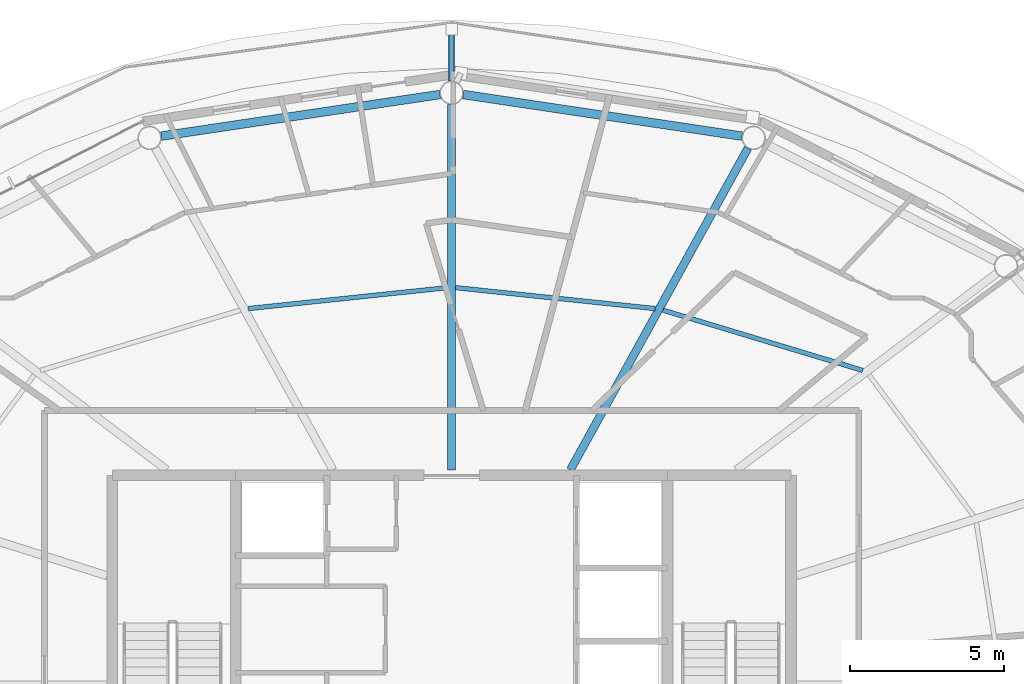
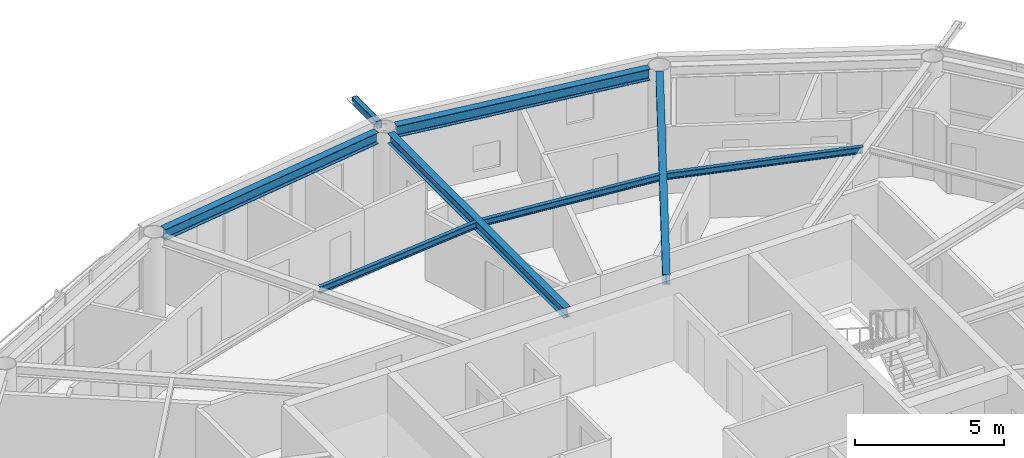
# One storey, part 10 of 23: 7 beams, 1 member.
"""IFC4 building model written with IfcOpenShell, lengths in metres."""

from ifc_helpers import new_model, si_unit, direction, frame, origin, origin_2d, place, context, subcontext, project, spatial, hollow_rectangle, i_section, extrude, material, material_profile, profile_set, type_object, element, save


model = new_model("IFC4")

# Units and contexts
model_context = context("Model", 3, precision=1e-05, world=origin(), true_north=direction((0.0, 1.0)))
body_context = subcontext(model_context, "Body", "Model", "MODEL_VIEW")
ifc_project = project(units=[si_unit("LENGTHUNIT", "METRE"), si_unit("AREAUNIT", "SQUARE_METRE"), si_unit("VOLUMEUNIT", "CUBIC_METRE"), si_unit("PLANEANGLEUNIT", "RADIAN"), si_unit("MASSUNIT", "GRAM", prefix="KILO")], contexts=[model_context])

# Site, building, storey
site_placement = place(None, origin())
site = spatial("IfcSite", under=ifc_project, at=site_placement, CompositionType="ELEMENT")
building_placement = place(site_placement, origin())
building = spatial("IfcBuilding", under=site, at=building_placement, Name="Sarneth Arch Tower", CompositionType="ELEMENT")
storey_placement = place(building_placement, frame((0.0, 0.0, 280.199951171875)))
storey = spatial("IfcBuildingStorey", under=building, at=storey_placement, Name="L72", CompositionType="ELEMENT", Elevation=280.199951171875)

# Beams
ifc_material_1 = material(Name="Steel S355", Category="steel")
ifc_material_profile_1 = material_profile(ifc_material_1, i_section(OverallWidth=0.14794921875, OverallDepth=0.26611328125, WebThickness=0.007568359375, FlangeThickness=0.012939453125, FilletRadius=0.012939453125, at=origin_2d()), Name="W250x44.8")
ifc_profile_set_1 = profile_set([ifc_material_profile_1], Name="Steel S355")
beam_type_1 = type_object("IfcBeamType", Name="BM-JOIST-250", PredefinedType="JOIST", material=ifc_profile_set_1)
beam_1_placement = place(storey_placement, frame((61.32861328125, 52.198486328125, 3.237060546875), z_axis=(-0.957373106971, 0.288854174367, 0.0), x_axis=(-0.288854174367, -0.957373106971, 0.0)))
element("IfcBeam", 1, at=beam_1_placement, inside=storey, type_object=beam_type_1, Name="L72 Secondary floor joist 03", PredefinedType="JOIST", context=body_context, shape_type="SweptSolid", body=[
    extrude(i_section(OverallWidth=0.14794921875, OverallDepth=0.26611328125, WebThickness=0.007568359375, FlangeThickness=0.012939453125, FilletRadius=0.012939453125, at=origin_2d()), origin(), (0.0, 0.0, 1.0), 6.76416015625),
])
for number, where, z_axis, x_axis, name in (
    (2, (54.59912109375, 54.20361328125, 3.237060546875), (-0.994526818736, 0.104481609938, 0.0), (-0.104481609938, -0.994526818736, 0.0), "L72 Secondary floor joist 04"),
    (3, (47.87060546875, 54.88330078125, 3.237060546875), (-0.994526818736, -0.104481609938, 0.0), (0.104481609938, -0.994526818736, 0.0), "L72 Secondary floor joist 05"),
):
    element("IfcBeam", number, at=place(storey_placement, frame(where, z_axis=z_axis, x_axis=x_axis)), inside=storey, type_object=beam_type_1, Name=name, PredefinedType="JOIST", context=body_context, shape_type="SweptSolid", body=[
        extrude(i_section(OverallWidth=0.14794921875, OverallDepth=0.26611328125, WebThickness=0.007568359375, FlangeThickness=0.012939453125, FilletRadius=0.012939453125, at=origin_2d()), origin(), (0.0, 0.0, 1.0), 6.50537109375),
    ])
ifc_material_2 = material(Name="Steel S355", Category="steel")
ifc_material_profile_2 = material_profile(ifc_material_2, i_section(OverallWidth=0.260009765625, OverallDepth=0.4150390625, WebThickness=0.010009765625, FlangeThickness=0.016845703125, FilletRadius=0.01611328125, at=origin_2d()), Name="W410x100")
ifc_profile_set_2 = profile_set([ifc_material_profile_2], Name="Steel S355")
beam_type_2 = type_object("IfcBeamType", Name="BM-RAD-410A", PredefinedType="BEAM", material=ifc_profile_set_2)
beam_2_placement = place(storey_placement, frame((51.849853515625, 48.97509765625, 3.16259765625), z_axis=(0.483231193732, 0.875492783182, 0.0), x_axis=(-0.875492783182, 0.483231193732, 0.0)))
element("IfcBeam", 4, at=beam_2_placement, inside=storey, type_object=beam_type_2, Name="L72 Radial floor girder 04", PredefinedType="BEAM", context=body_context, shape_type="SweptSolid", body=[
    extrude(i_section(OverallWidth=0.260009765625, OverallDepth=0.4150390625, WebThickness=0.010009765625, FlangeThickness=0.016845703125, FilletRadius=0.01611328125, at=origin_2d()), origin(), (0.0, 0.0, 1.0), 11.913330078125),
])
beam_3_placement = place(storey_placement, frame((48.0, 48.97509765625, 3.16259765625), z_axis=(0.0, 1.0, 0.0), x_axis=(-1.0, 0.0, 0.0)))
element("IfcBeam", 5, at=beam_3_placement, inside=storey, type_object=beam_type_2, Name="L72 Radial floor girder 05", PredefinedType="BEAM", context=body_context, shape_type="SweptSolid", body=[
    extrude(i_section(OverallWidth=0.260009765625, OverallDepth=0.4150390625, WebThickness=0.010009765625, FlangeThickness=0.016845703125, FilletRadius=0.01611328125, at=origin_2d()), origin(), (0.0, 0.0, 1.0), 11.843994140625),
])
ifc_material_3 = material(Name="Steel S355", Category="steel")
ifc_material_profile_3 = material_profile(ifc_material_3, i_section(OverallWidth=0.280029296875, OverallDepth=0.462890625, WebThickness=0.0107421875, FlangeThickness=0.017333984375, FilletRadius=0.01806640625, at=origin_2d()), Name="W460x113")
ifc_profile_set_3 = profile_set([ifc_material_profile_3], Name="Steel S355")
beam_type_3 = type_object("IfcBeamType", Name="BM-RAD-460A", PredefinedType="BEAM", material=ifc_profile_set_3)
for number, where, z_axis, x_axis, name in (
    (6, (57.4140625, 59.794677734375, 3.138427734375), (-0.989040174637, 0.147646648973, 0.0), (-0.147646648973, -0.989040174637, 0.0), "L72 Perimeter spandrel beam 04"),
    (7, (47.623291015625, 61.143798828125, 3.138427734375), (-0.989040174637, -0.147646648973, 0.0), (0.147646648973, -0.989040174637, 0.0), "L72 Perimeter spandrel beam 05"),
):
    element("IfcBeam", number, at=place(storey_placement, frame(where, z_axis=z_axis, x_axis=x_axis)), inside=storey, type_object=beam_type_3, Name=name, PredefinedType="BEAM", context=body_context, shape_type="SweptSolid", body=[
        extrude(i_section(OverallWidth=0.280029296875, OverallDepth=0.462890625, WebThickness=0.0107421875, FlangeThickness=0.017333984375, FilletRadius=0.01806640625, at=origin_2d()), origin(), (0.0, 0.0, 1.0), 9.137451171875),
    ])

# Member
ifc_material_4 = material(Name="Steel S355", Category="steel")
ifc_material_profile_4 = material_profile(ifc_material_4, hollow_rectangle(XDim=0.199951171875, YDim=0.300048828125, WallThickness=0.012451171875, InnerFilletRadius=0.018798828125, OuterFilletRadius=0.03125, at=origin_2d()), Name="RHS300x200x12.5")
ifc_profile_set_4 = profile_set([ifc_material_profile_4], Name="Steel S355")
member_type = type_object("IfcMemberType", Name="MEM-CANT-STRUT", PredefinedType="STRUT", material=ifc_profile_set_4)
member_placement = place(storey_placement, frame((48.0, 61.5810546875, 3.2099609375), z_axis=(0.0, 1.0, 0.0), x_axis=(-1.0, 0.0, 0.0)))
element("IfcMember", 8, at=member_placement, inside=storey, type_object=member_type, Name="L72 Balcony cantilever bracket 05", PredefinedType="STRUT", context=body_context, shape_type="SweptSolid", body=[
    extrude(hollow_rectangle(XDim=0.199951171875, YDim=0.300048828125, WallThickness=0.012451171875, InnerFilletRadius=0.018798828125, OuterFilletRadius=0.03125, at=origin_2d()), origin(), (0.0, 0.0, 1.0), 1.6796875),
])

save(model, "model.ifc")
